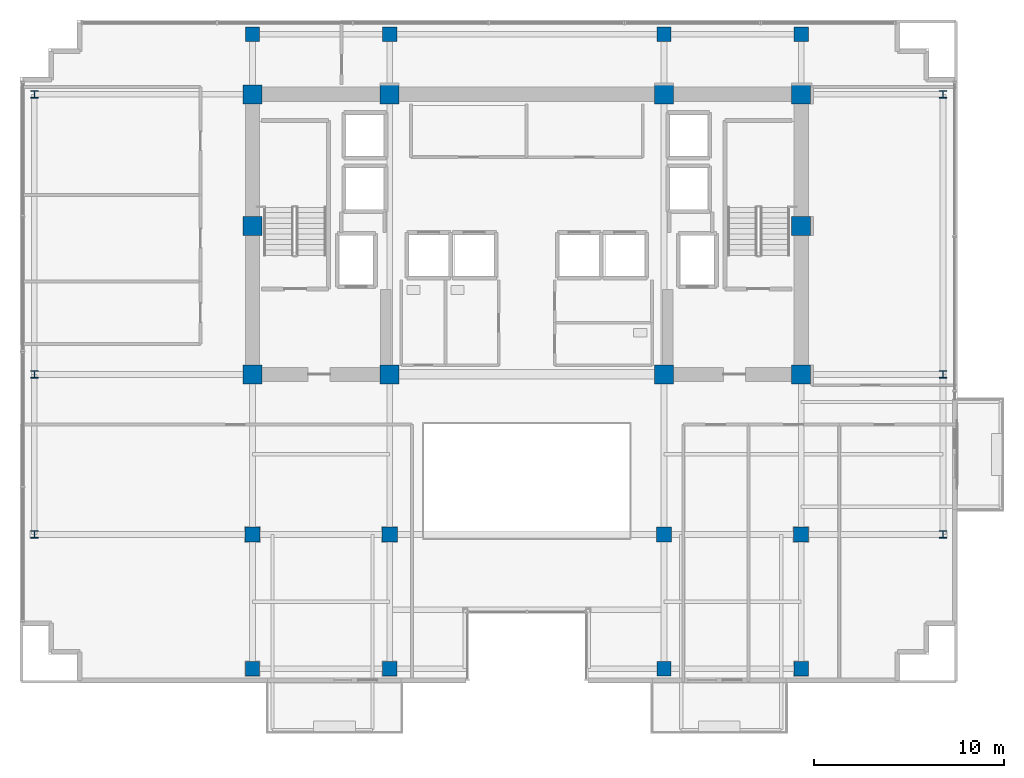
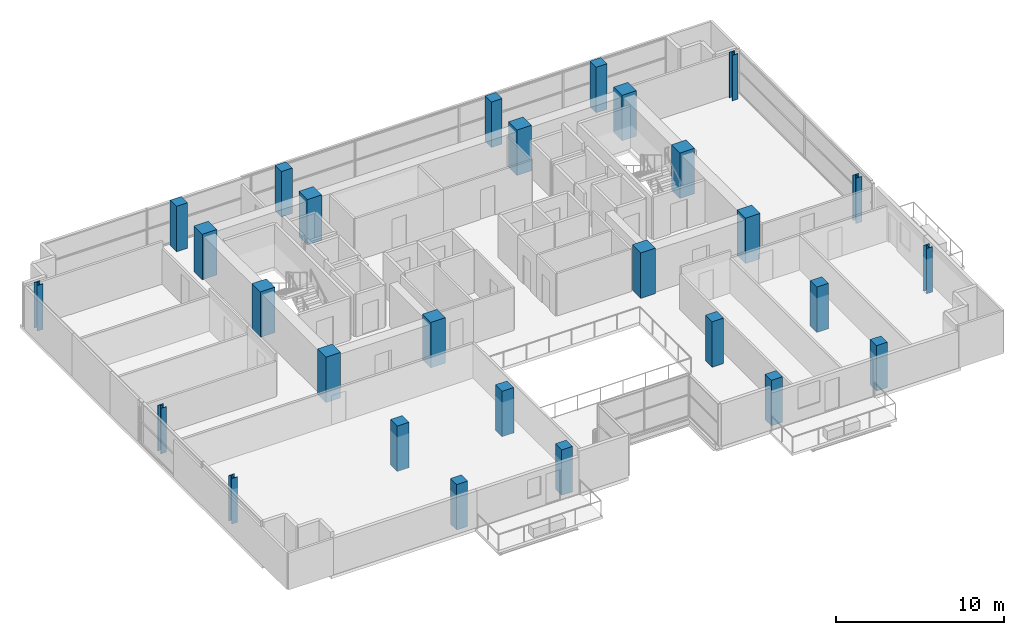
# One storey, part 1 of 25: 28 columns.
"""IFC4 building model written with IfcOpenShell, lengths in metres."""

from ifc_helpers import new_model, si_unit, direction, frame, origin, origin_2d, place, context, subcontext, project, spatial, rectangle, i_section, extrude, material, material_profile, profile_set, type_object, element, save


model = new_model("IFC4")

# Units and contexts
model_context = context("Model", 3, precision=1e-05, world=origin(), true_north=direction((0.0, 1.0)))
body_context = subcontext(model_context, "Body", "Model", "MODEL_VIEW")
ifc_project = project(units=[si_unit("LENGTHUNIT", "METRE"), si_unit("AREAUNIT", "SQUARE_METRE"), si_unit("VOLUMEUNIT", "CUBIC_METRE"), si_unit("PLANEANGLEUNIT", "RADIAN"), si_unit("MASSUNIT", "GRAM", prefix="KILO")], contexts=[model_context])

# Site, building, storey
site_placement = place(None, origin())
site = spatial("IfcSite", under=ifc_project, at=site_placement, CompositionType="ELEMENT")
building_placement = place(site_placement, origin())
building = spatial("IfcBuilding", under=site, at=building_placement, Name="Zarnakvel Exchange Tower", CompositionType="ELEMENT")
storey_placement = place(building_placement, frame((0.0, 0.0, 156.10009765625)))
storey = spatial("IfcBuildingStorey", under=building, at=storey_placement, Name="L43", CompositionType="ELEMENT", Elevation=156.10009765625)

# Columns
ifc_material_1 = material(Name="Concrete C60/75", Category="concrete")
ifc_material_profile_1 = material_profile(ifc_material_1, rectangle(XDim=1.0, YDim=1.0, at=origin_2d()))
ifc_profile_set_1 = profile_set([ifc_material_profile_1], Name="Concrete C60/75")
column_type_1 = type_object("IfcColumnType", Name="CC-02", PredefinedType="COLUMN", material=ifc_profile_set_1)
for number, where, z_axis, x_axis, name in (
    (1, (-14.39990234375, -1.199951171875, 0.0), (0.0, 0.0, 1.0), (1.0, 0.0, 0.0), "L43 Column C-4D (CC-02)"),
    (2, (-7.199951171875, -1.199951171875, 0.0), (0.0, 0.0, 1.0), (1.0, 0.0, 0.0), "L43 Column C-5D (CC-02)"),
    (3, (7.199951171875, -1.199951171875, 0.0), (0.0, 0.0, 1.0), (1.0, 0.0, 0.0), "L43 Column C-8D (CC-02)"),
    (4, (14.39990234375, -1.199951171875, 0.0), (0.0, 0.0, 1.0), (1.0, 0.0, 0.0), "L43 Column C-9D (CC-02)"),
    (5, (-14.39990234375, 6.60009765625, 0.0), (0.0, 0.0, 1.0), (1.0, 0.0, 0.0), "L43 Column C-4E (CC-02)"),
    (6, (14.39990234375, 6.60009765625, 0.0), (0.0, 0.0, 1.0), (1.0, 0.0, 0.0), "L43 Column C-9E (CC-02)"),
    (7, (-14.39990234375, 13.5, 0.0), (0.0, 0.0, 1.0), (1.0, 0.0, 0.0), "L43 Column C-4F (CC-02)"),
    (8, (-7.199951171875, 13.5, 0.0), (0.0, 0.0, 1.0), (1.0, 0.0, 0.0), "L43 Column C-5F (CC-02)"),
    (9, (7.199951171875, 13.5, 0.0), (0.0, 0.0, 1.0), (1.0, 0.0, 0.0), "L43 Column C-8F (CC-02)"),
    (10, (14.39990234375, 13.5, 0.0), (0.0, 0.0, 1.0), (1.0, 0.0, 0.0), "L43 Column C-9F (CC-02)"),
):
    element("IfcColumn", number, at=place(storey_placement, frame(where, z_axis=z_axis, x_axis=x_axis)), inside=storey, type_object=column_type_1, Name=name, PredefinedType="COLUMN", context=body_context, shape_type="SweptSolid", body=[
        extrude(rectangle(XDim=1.0, YDim=1.0, at=origin_2d()), origin(), (0.0, 0.0, 1.0), 3.2998046875),
    ])
ifc_material_2 = material(Name="Steel S355", Category="steel")
ifc_material_profile_2 = material_profile(ifc_material_2, i_section(OverallWidth=0.39892578125, OverallDepth=0.3935546875, WebThickness=0.022705078125, FlangeThickness=0.03662109375, FilletRadius=0.01513671875, at=origin_2d()))
ifc_profile_set_2 = profile_set([ifc_material_profile_2], Name="Steel S355")
column_type_2 = type_object("IfcColumnType", Name="SC-04", PredefinedType="COLUMN", material=ifc_profile_set_2)
for number, where, z_axis, x_axis, name in (
    (11, (-25.85009765625, -9.60009765625, 0.0), (0.0, 0.0, 1.0), (1.0, 0.0, 0.0), "L43 Column TW-C (SC-04)"),
    (12, (21.85009765625, -9.60009765625, 0.0), (0.0, 0.0, 1.0), (1.0, 0.0, 0.0), "L43 Column TE-C (SC-04)"),
    (13, (-25.85009765625, -1.199951171875, 0.0), (0.0, 0.0, 1.0), (1.0, 0.0, 0.0), "L43 Column TW-D (SC-04)"),
    (14, (21.85009765625, -1.199951171875, 0.0), (0.0, 0.0, 1.0), (1.0, 0.0, 0.0), "L43 Column TE-D (SC-04)"),
    (15, (-25.85009765625, 13.5, 0.0), (0.0, 0.0, 1.0), (1.0, 0.0, 0.0), "L43 Column TW-F (SC-04)"),
    (16, (21.85009765625, 13.5, 0.0), (0.0, 0.0, 1.0), (1.0, 0.0, 0.0), "L43 Column TE-F (SC-04)"),
):
    element("IfcColumn", number, at=place(storey_placement, frame(where, z_axis=z_axis, x_axis=x_axis)), inside=storey, type_object=column_type_2, Name=name, PredefinedType="COLUMN", context=body_context, shape_type="SweptSolid", body=[
        extrude(i_section(OverallWidth=0.39892578125, OverallDepth=0.3935546875, WebThickness=0.022705078125, FlangeThickness=0.03662109375, FilletRadius=0.01513671875, at=origin_2d()), origin(), (0.0, 0.0, 1.0), 3.2998046875),
    ])
ifc_material_profile_3 = material_profile(ifc_material_1, rectangle(XDim=0.800048828125, YDim=0.800048828125, at=origin_2d()))
ifc_profile_set_3 = profile_set([ifc_material_profile_3], Name="Concrete C60/75")
column_type_3 = type_object("IfcColumnType", Name="TC-03", PredefinedType="COLUMN", material=ifc_profile_set_3)
for number, where, z_axis, x_axis, name in (
    (17, (-14.39990234375, -9.60009765625, 0.0), (0.0, 0.0, 1.0), (1.0, 0.0, 0.0), "L43 Column T-4C (TC-03)"),
    (18, (-7.199951171875, -9.60009765625, 0.0), (0.0, 0.0, 1.0), (1.0, 0.0, 0.0), "L43 Column T-5C (TC-03)"),
    (19, (7.199951171875, -9.60009765625, 0.0), (0.0, 0.0, 1.0), (1.0, 0.0, 0.0), "L43 Column T-8C (TC-03)"),
    (20, (14.39990234375, -9.60009765625, 0.0), (0.0, 0.0, 1.0), (1.0, 0.0, 0.0), "L43 Column T-9C (TC-03)"),
):
    element("IfcColumn", number, at=place(storey_placement, frame(where, z_axis=z_axis, x_axis=x_axis)), inside=storey, type_object=column_type_3, Name=name, PredefinedType="COLUMN", context=body_context, shape_type="SweptSolid", body=[
        extrude(rectangle(XDim=0.800048828125, YDim=0.800048828125, at=origin_2d()), origin(), (0.0, 0.0, 1.0), 3.2998046875),
    ])
ifc_material_3 = material(Name="Concrete C50/60", Category="concrete")
ifc_material_profile_4 = material_profile(ifc_material_3, rectangle(XDim=0.75, YDim=0.75, at=origin_2d()))
ifc_profile_set_4 = profile_set([ifc_material_profile_4], Name="Concrete C50/60")
column_type_4 = type_object("IfcColumnType", Name="TC-04", PredefinedType="COLUMN", material=ifc_profile_set_4)
for number, where, z_axis, x_axis, name in (
    (21, (-14.39990234375, -16.64990234375, 0.0), (0.0, 0.0, 1.0), (1.0, 0.0, 0.0), "L43 Column TS-4 (TC-04)"),
    (22, (-14.39990234375, 16.64990234375, 0.0), (0.0, 0.0, 1.0), (1.0, 0.0, 0.0), "L43 Column TN-4 (TC-04)"),
    (23, (-7.199951171875, -16.64990234375, 0.0), (0.0, 0.0, 1.0), (1.0, 0.0, 0.0), "L43 Column TS-5 (TC-04)"),
    (24, (-7.199951171875, 16.64990234375, 0.0), (0.0, 0.0, 1.0), (1.0, 0.0, 0.0), "L43 Column TN-5 (TC-04)"),
    (25, (7.199951171875, -16.64990234375, 0.0), (0.0, 0.0, 1.0), (1.0, 0.0, 0.0), "L43 Column TS-8 (TC-04)"),
    (26, (7.199951171875, 16.64990234375, 0.0), (0.0, 0.0, 1.0), (1.0, 0.0, 0.0), "L43 Column TN-8 (TC-04)"),
    (27, (14.39990234375, -16.64990234375, 0.0), (0.0, 0.0, 1.0), (1.0, 0.0, 0.0), "L43 Column TS-9 (TC-04)"),
    (28, (14.39990234375, 16.64990234375, 0.0), (0.0, 0.0, 1.0), (1.0, 0.0, 0.0), "L43 Column TN-9 (TC-04)"),
):
    element("IfcColumn", number, at=place(storey_placement, frame(where, z_axis=z_axis, x_axis=x_axis)), inside=storey, type_object=column_type_4, Name=name, PredefinedType="COLUMN", context=body_context, shape_type="SweptSolid", body=[
        extrude(rectangle(XDim=0.75, YDim=0.75, at=origin_2d()), origin(), (0.0, 0.0, 1.0), 3.2998046875),
    ])

save(model, "model.ifc")
